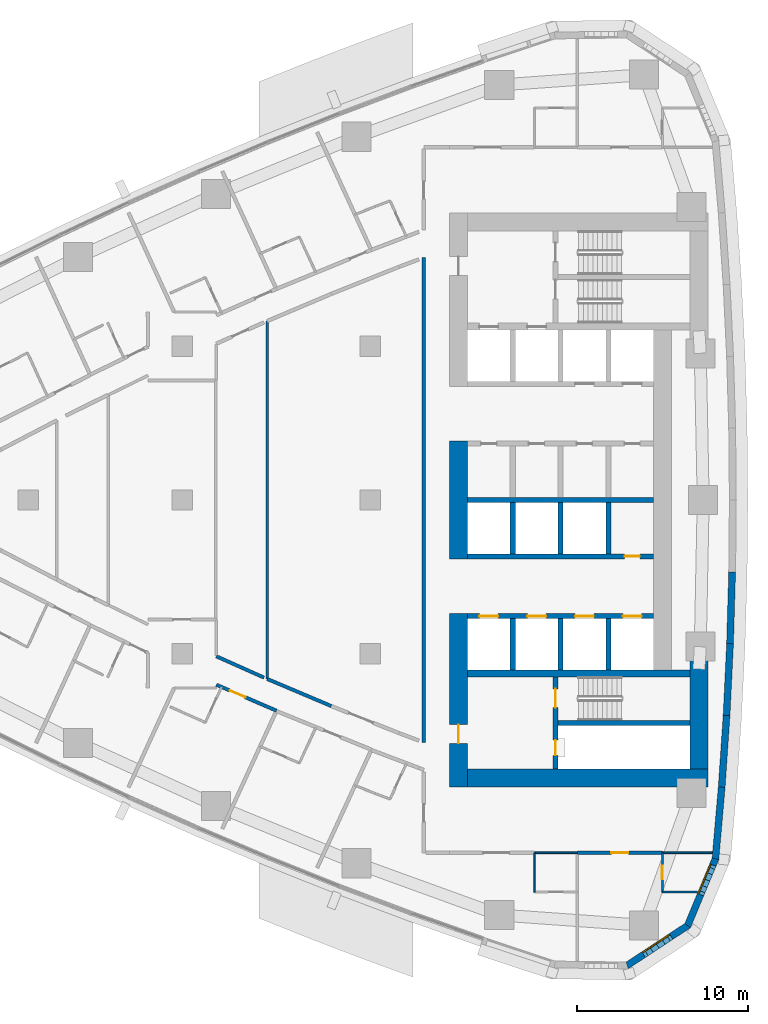
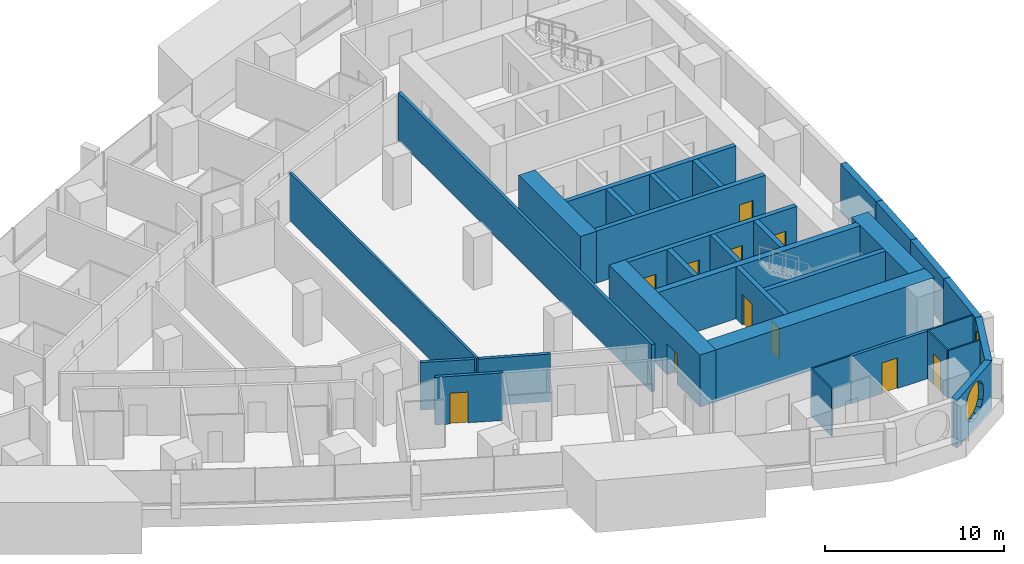
# One storey, part 10 of 17: 33 walls, 11 doors, 2 windows, 13 openings.
"""IFC4 building model written with IfcOpenShell, lengths in metres."""

from ifc_helpers import new_model, si_unit, direction, frame, frame_2d, origin, place, context, subcontext, project, spatial, polyline, rectangle, outline, extrude, material, layer, layer_set, type_object, element, fill, save


model = new_model("IFC4")

# Units and contexts
model_context = context("Model", 3, precision=1e-05, world=origin(), true_north=direction((0.0, 1.0)))
body_context = subcontext(model_context, "Body", "Model", "MODEL_VIEW")
ifc_project = project(units=[si_unit("LENGTHUNIT", "METRE"), si_unit("AREAUNIT", "SQUARE_METRE"), si_unit("VOLUMEUNIT", "CUBIC_METRE"), si_unit("PLANEANGLEUNIT", "RADIAN"), si_unit("MASSUNIT", "GRAM", prefix="KILO")], contexts=[model_context])

# Site, building, storey
site_placement = place(None, origin())
site = spatial("IfcSite", under=ifc_project, at=site_placement, CompositionType="ELEMENT")
building_placement = place(site_placement, origin())
building = spatial("IfcBuilding", under=site, at=building_placement, Name="Ostrand Prow Hotel Tower", CompositionType="ELEMENT")
storey_placement = place(building_placement, frame((0.0, 0.0, 102.64990234375)))
storey = spatial("IfcBuildingStorey", under=building, at=storey_placement, Name="L24", CompositionType="ELEMENT", Elevation=102.64990234375)

# Wall
ifc_material_1 = material(Name="Concrete C80/95", Category="concrete")
ifc_layer_1 = layer(ifc_material_1, 1.050048828125)
ifc_layer_set_1 = layer_set([ifc_layer_1], Name="Concrete C80/95")
wall_type_1 = type_object("IfcWallType", Name="Core wall 1050 C80/95", PredefinedType="SHEAR", material=ifc_layer_set_1)
wall_1_placement = place(storey_placement, frame((50.175048828125, -3.449951171875, 0.0), z_axis=(0.0, 0.0, 1.0), x_axis=(0.0, 1.0, 0.0)))
element("IfcWall", 1, at=wall_1_placement, inside=storey, type_object=wall_type_1, Name="Core wall CW-W-C", PredefinedType="SHEAR", context=body_context, shape_type="SweptSolid", body=[
    extrude(rectangle(XDim=6.89990234375, YDim=1.050048828125, at=frame_2d((3.449951171875, 0.0))), origin(), (0.0, 0.0, 1.0), 3.550048828125),
])

# Wall, opening, door
wall_2_placement = place(storey_placement, frame((50.175048828125, -16.800048828125, 0.0), z_axis=(0.0, 0.0, 1.0), x_axis=(0.0, 1.0, 0.0)))
wall_2 = element("IfcWall", 2, at=wall_2_placement, inside=storey, type_object=wall_type_1, Name="Core wall CW-W-S", PredefinedType="SHEAR", context=body_context, shape_type="SweptSolid", body=[
    extrude(rectangle(XDim=10.150146484375, YDim=1.050048828125, at=frame_2d((5.0751953125, 0.0))), origin(), (0.0, 0.0, 1.0), 3.550048828125),
])
opening_1_placement = place(wall_2_placement, frame((2.550048828125, 0.0, 0.0)))
opening_1 = element("IfcOpeningElement", 3, at=opening_1_placement, cuts=wall_2, Name="Opening FD1", PredefinedType="OPENING", context=body_context, shape_type="SweptSolid", body=[
    extrude(rectangle(XDim=1.10009765625, YDim=2.10009765625, at=frame_2d((0.550048828125, 1.050048828125))), frame((0.0, 0.534912109375, 0.0), z_axis=(0.0, -1.0, 0.0), x_axis=(1.0, 0.0, 0.0)), (0.0, 0.0, 1.0), 1.070068359375),
])
ifc_material_2 = material(Name="Steel fire door", Category="steel")
door_type_1 = type_object("IfcDoorType", Name="Fire door 1100 EI120", OperationType="SINGLE_SWING_RIGHT", PredefinedType="DOOR", material=ifc_material_2)
door_1_placement = place(opening_1_placement, origin())
door_1 = element("IfcDoor", 4, at=door_1_placement, inside=storey, type_object=door_type_1, Name="FIRE DOOR", OperationType="SINGLE_SWING_RIGHT", OverallHeight=2.10009765625, OverallWidth=1.10009765625, PredefinedType="DOOR", context=body_context, shape_type="SweptSolid", body=[
    extrude(rectangle(XDim=1.10009765625, YDim=2.10009765625, at=frame_2d((0.550048828125, 1.050048828125))), frame((0.0, 0.02490234375, 0.0), z_axis=(0.0, -1.0, 0.0), x_axis=(1.0, 0.0, 0.0)), (0.0, 0.0, 1.0), 0.050048828125),
])
fill(opening_1, door_1)

# Walls
wall_3_placement = place(storey_placement, frame((50.699951171875, -16.27490234375, 0.0), z_axis=(0.0, 0.0, 1.0), x_axis=(1.0, 0.0, 0.0)))
element("IfcWall", 5, at=wall_3_placement, inside=storey, type_object=wall_type_1, Name="Core wall CW-S", PredefinedType="SHEAR", context=body_context, shape_type="SweptSolid", body=[
    extrude(rectangle(XDim=14.070068359375, YDim=1.050048828125, at=frame_2d((7.03515625, 0.0))), origin(), (0.0, 0.0, 1.0), 3.550048828125),
])
wall_4_placement = place(storey_placement, frame((64.2451171875, -15.75, 0.0), z_axis=(0.0, 0.0, 1.0), x_axis=(0.0, 1.0, 0.0)))
element("IfcWall", 6, at=wall_4_placement, inside=storey, type_object=wall_type_1, Name="Core wall CW-E-S", PredefinedType="SHEAR", context=body_context, shape_type="SweptSolid", body=[
    extrude(rectangle(XDim=6.361328125, YDim=1.050048828125, at=frame_2d((3.1806640625, 0.0))), origin(), (0.0, 0.0, 1.0), 3.550048828125),
])
ifc_material_3 = material(Name="Concrete C80/95", Category="concrete")
ifc_layer_2 = layer(ifc_material_3, 0.300048828125)
ifc_layer_set_2 = layer_set([ifc_layer_2], Name="Concrete C80/95")
wall_type_2 = type_object("IfcWallType", Name="Core wall 300 C80/95", PredefinedType="SHEAR", material=ifc_layer_set_2)
wall_5_placement = place(storey_placement, frame((50.699951171875, 0.0, 0.0), z_axis=(0.0, 0.0, 1.0), x_axis=(1.0, 0.0, 0.0)))
element("IfcWall", 7, at=wall_5_placement, inside=storey, type_object=wall_type_2, Name="Core wall PW-C", PredefinedType="SHEAR", context=body_context, shape_type="SweptSolid", body=[
    extrude(rectangle(XDim=10.900146484375, YDim=0.300048828125, at=frame_2d((5.4501953125, 0.0))), origin(), (0.0, 0.0, 1.0), 3.550048828125),
])

# Wall, opening, door
wall_6_placement = place(storey_placement, frame((50.699951171875, -3.300048828125, 0.0), z_axis=(0.0, 0.0, 1.0), x_axis=(1.0, 0.0, 0.0)))
wall_6 = element("IfcWall", 8, at=wall_6_placement, inside=storey, type_object=wall_type_2, Name="Core wall PW-L1-S", PredefinedType="SHEAR", context=body_context, shape_type="SweptSolid", body=[
    extrude(rectangle(XDim=10.900146484375, YDim=0.300048828125, at=frame_2d((5.4501953125, 0.0))), origin(), (0.0, 0.0, 1.0), 3.550048828125),
])
opening_2_placement = place(wall_6_placement, frame((9.199951171875, 0.0, 0.0)))
opening_2 = element("IfcOpeningElement", 9, at=opening_2_placement, cuts=wall_6, Name="Opening FD2", PredefinedType="OPENING", context=body_context, shape_type="SweptSolid", body=[
    extrude(rectangle(XDim=0.89990234375, YDim=2.10009765625, at=frame_2d((0.449951171875, 1.050048828125))), frame((0.0, 0.159912109375, 0.0), z_axis=(0.0, -1.0, 0.0), x_axis=(1.0, 0.0, 0.0)), (0.0, 0.0, 1.0), 0.320068359375),
])
ifc_material_4 = material(Name="Steel fire door", Category="steel")
door_type_2 = type_object("IfcDoorType", Name="Fire door 900 EI120", OperationType="SINGLE_SWING_LEFT", PredefinedType="DOOR", material=ifc_material_4)
door_2_placement = place(opening_2_placement, origin())
door_2 = element("IfcDoor", 10, at=door_2_placement, inside=storey, type_object=door_type_2, Name="DOOR", OperationType="SINGLE_SWING_LEFT", OverallHeight=2.10009765625, OverallWidth=0.89990234375, PredefinedType="DOOR", context=body_context, shape_type="SweptSolid", body=[
    extrude(rectangle(XDim=0.89990234375, YDim=2.10009765625, at=frame_2d((0.449951171875, 1.050048828125))), frame((0.0, 0.02490234375, 0.0), z_axis=(0.0, -1.0, 0.0), x_axis=(1.0, 0.0, 0.0)), (0.0, 0.0, 1.0), 0.050048828125),
])
fill(opening_2, door_2)

# Wall, openings, doors
wall_7_placement = place(storey_placement, frame((50.699951171875, -6.800048828125, 0.0), z_axis=(0.0, 0.0, 1.0), x_axis=(1.0, 0.0, 0.0)))
wall_7 = element("IfcWall", 11, at=wall_7_placement, inside=storey, type_object=wall_type_2, Name="Core wall PW-L2-S", PredefinedType="SHEAR", context=body_context, shape_type="SweptSolid", body=[
    extrude(rectangle(XDim=10.900146484375, YDim=0.300048828125, at=frame_2d((5.4501953125, 0.0))), origin(), (0.0, 0.0, 1.0), 3.550048828125),
])
opening_3_placement = place(wall_7_placement, frame((0.699951171875, 0.0, 0.0)))
opening_3 = element("IfcOpeningElement", 12, at=opening_3_placement, cuts=wall_7, Name="Opening LD", PredefinedType="OPENING", context=body_context, shape_type="SweptSolid", body=[
    extrude(rectangle(XDim=1.10009765625, YDim=2.10009765625, at=frame_2d((0.550048828125, 1.050048828125))), frame((0.0, 0.159912109375, 0.0), z_axis=(0.0, -1.0, 0.0), x_axis=(1.0, 0.0, 0.0)), (0.0, 0.0, 1.0), 0.320068359375),
])
opening_4_placement = place(wall_7_placement, frame((3.5, 0.0, 0.0)))
opening_4 = element("IfcOpeningElement", 13, at=opening_4_placement, cuts=wall_7, Name="Opening LD", PredefinedType="OPENING", context=body_context, shape_type="SweptSolid", body=[
    extrude(rectangle(XDim=1.10009765625, YDim=2.10009765625, at=frame_2d((0.550048828125, 1.050048828125))), frame((0.0, 0.159912109375, 0.0), z_axis=(0.0, -1.0, 0.0), x_axis=(1.0, 0.0, 0.0)), (0.0, 0.0, 1.0), 0.320068359375),
])
opening_5_placement = place(wall_7_placement, frame((6.300048828125, 0.0, 0.0)))
opening_5 = element("IfcOpeningElement", 14, at=opening_5_placement, cuts=wall_7, Name="Opening LD", PredefinedType="OPENING", context=body_context, shape_type="SweptSolid", body=[
    extrude(rectangle(XDim=1.10009765625, YDim=2.10009765625, at=frame_2d((0.550048828125, 1.050048828125))), frame((0.0, 0.159912109375, 0.0), z_axis=(0.0, -1.0, 0.0), x_axis=(1.0, 0.0, 0.0)), (0.0, 0.0, 1.0), 0.320068359375),
])
opening_6_placement = place(wall_7_placement, frame((9.10009765625, 0.0, 0.0)))
opening_6 = element("IfcOpeningElement", 15, at=opening_6_placement, cuts=wall_7, Name="Opening LD", PredefinedType="OPENING", context=body_context, shape_type="SweptSolid", body=[
    extrude(rectangle(XDim=1.10009765625, YDim=2.10009765625, at=frame_2d((0.550048828125, 1.050048828125))), frame((0.0, 0.159912109375, 0.0), z_axis=(0.0, -1.0, 0.0), x_axis=(1.0, 0.0, 0.0)), (0.0, 0.0, 1.0), 0.320068359375),
])
ifc_material_5 = material(Name="Stainless steel door", Category="steel")
door_type_3 = type_object("IfcDoorType", Name="Lift landing door 1100", OperationType="DOUBLE_DOOR_SLIDING", PredefinedType="DOOR", material=ifc_material_5)
door_3_placement = place(opening_3_placement, origin())
door_3 = element("IfcDoor", 16, at=door_3_placement, inside=storey, type_object=door_type_3, Name="LIFT LANDING DOOR", OperationType="DOUBLE_DOOR_SLIDING", OverallHeight=2.10009765625, OverallWidth=1.10009765625, PredefinedType="DOOR", context=body_context, shape_type="SweptSolid", body=[
    extrude(rectangle(XDim=1.10009765625, YDim=2.10009765625, at=frame_2d((0.550048828125, 1.050048828125))), frame((0.0, 0.02490234375, 0.0), z_axis=(0.0, -1.0, 0.0), x_axis=(1.0, 0.0, 0.0)), (0.0, 0.0, 1.0), 0.050048828125),
])
fill(opening_3, door_3)
door_4_placement = place(opening_4_placement, origin())
door_4 = element("IfcDoor", 17, at=door_4_placement, inside=storey, type_object=door_type_3, Name="LIFT LANDING DOOR", OperationType="DOUBLE_DOOR_SLIDING", OverallHeight=2.10009765625, OverallWidth=1.10009765625, PredefinedType="DOOR", context=body_context, shape_type="SweptSolid", body=[
    extrude(rectangle(XDim=1.10009765625, YDim=2.10009765625, at=frame_2d((0.550048828125, 1.050048828125))), frame((0.0, 0.02490234375, 0.0), z_axis=(0.0, -1.0, 0.0), x_axis=(1.0, 0.0, 0.0)), (0.0, 0.0, 1.0), 0.050048828125),
])
fill(opening_4, door_4)
door_5_placement = place(opening_5_placement, origin())
door_5 = element("IfcDoor", 18, at=door_5_placement, inside=storey, type_object=door_type_3, Name="LIFT LANDING DOOR", OperationType="DOUBLE_DOOR_SLIDING", OverallHeight=2.10009765625, OverallWidth=1.10009765625, PredefinedType="DOOR", context=body_context, shape_type="SweptSolid", body=[
    extrude(rectangle(XDim=1.10009765625, YDim=2.10009765625, at=frame_2d((0.550048828125, 1.050048828125))), frame((0.0, 0.02490234375, 0.0), z_axis=(0.0, -1.0, 0.0), x_axis=(1.0, 0.0, 0.0)), (0.0, 0.0, 1.0), 0.050048828125),
])
fill(opening_5, door_5)
door_6_placement = place(opening_6_placement, origin())
door_6 = element("IfcDoor", 19, at=door_6_placement, inside=storey, type_object=door_type_3, Name="LIFT LANDING DOOR", OperationType="DOUBLE_DOOR_SLIDING", OverallHeight=2.10009765625, OverallWidth=1.10009765625, PredefinedType="DOOR", context=body_context, shape_type="SweptSolid", body=[
    extrude(rectangle(XDim=1.10009765625, YDim=2.10009765625, at=frame_2d((0.550048828125, 1.050048828125))), frame((0.0, 0.02490234375, 0.0), z_axis=(0.0, -1.0, 0.0), x_axis=(1.0, 0.0, 0.0)), (0.0, 0.0, 1.0), 0.050048828125),
])
fill(opening_6, door_6)

# Walls
for number, where, z_axis, x_axis, name in (
    (20, (53.35009765625, -3.14990234375, 0.0), (0.0, 0.0, 1.0), (0.0, 1.0, 0.0), "Core wall PW-R1-SB"),
    (21, (53.35009765625, -9.949951171875, 0.0), (0.0, 0.0, 1.0), (0.0, 1.0, 0.0), "Core wall PW-R1-SA"),
    (22, (56.14990234375, -3.14990234375, 0.0), (0.0, 0.0, 1.0), (0.0, 1.0, 0.0), "Core wall PW-R2-SB"),
    (23, (56.14990234375, -9.949951171875, 0.0), (0.0, 0.0, 1.0), (0.0, 1.0, 0.0), "Core wall PW-R2-SA"),
    (24, (58.949951171875, -3.14990234375, 0.0), (0.0, 0.0, 1.0), (0.0, 1.0, 0.0), "Core wall PW-R3-SB"),
    (25, (58.949951171875, -9.949951171875, 0.0), (0.0, 0.0, 1.0), (0.0, 1.0, 0.0), "Core wall PW-R3-SA"),
):
    element("IfcWall", number, at=place(storey_placement, frame(where, z_axis=z_axis, x_axis=x_axis)), inside=storey, type_object=wall_type_2, Name=name, PredefinedType="SHEAR", context=body_context, shape_type="SweptSolid", body=[
        extrude(rectangle(XDim=3.0, YDim=0.300048828125, at=frame_2d((1.5, 0.0))), origin(), (0.0, 0.0, 1.0), 3.550048828125),
    ])

# Wall, openings, doors
wall_8_placement = place(storey_placement, frame((55.85009765625, -15.75, 0.0), z_axis=(0.0, 0.0, 1.0), x_axis=(0.0, 1.0, 0.0)))
wall_8 = element("IfcWall", 26, at=wall_8_placement, inside=storey, type_object=wall_type_2, Name="Core wall PW-VS", PredefinedType="SHEAR", context=body_context, shape_type="SweptSolid", body=[
    extrude(rectangle(XDim=5.39990234375, YDim=0.300048828125, at=frame_2d((2.699951171875, 0.0))), origin(), (0.0, 0.0, 1.0), 3.550048828125),
])
opening_7_placement = place(wall_8_placement, frame((3.60009765625, 0.0, 0.0)))
opening_7 = element("IfcOpeningElement", 27, at=opening_7_placement, cuts=wall_8, Name="Opening FD1", PredefinedType="OPENING", context=body_context, shape_type="SweptSolid", body=[
    extrude(rectangle(XDim=1.10009765625, YDim=2.10009765625, at=frame_2d((0.550048828125, 1.050048828125))), frame((0.0, 0.159912109375, 0.0), z_axis=(0.0, -1.0, 0.0), x_axis=(1.0, 0.0, 0.0)), (0.0, 0.0, 1.0), 0.320068359375),
])
opening_8_placement = place(wall_8_placement, frame((0.800048828125, 0.0, 0.0)))
opening_8 = element("IfcOpeningElement", 28, at=opening_8_placement, cuts=wall_8, Name="Opening FD2", PredefinedType="OPENING", context=body_context, shape_type="SweptSolid", body=[
    extrude(rectangle(XDim=0.89990234375, YDim=2.10009765625, at=frame_2d((0.449951171875, 1.050048828125))), frame((0.0, 0.159912109375, 0.0), z_axis=(0.0, -1.0, 0.0), x_axis=(1.0, 0.0, 0.0)), (0.0, 0.0, 1.0), 0.320068359375),
])
door_7_placement = place(opening_7_placement, origin())
door_7 = element("IfcDoor", 29, at=door_7_placement, inside=storey, type_object=door_type_1, Name="FIRE DOOR", OperationType="SINGLE_SWING_RIGHT", OverallHeight=2.10009765625, OverallWidth=1.10009765625, PredefinedType="DOOR", context=body_context, shape_type="SweptSolid", body=[
    extrude(rectangle(XDim=1.10009765625, YDim=2.10009765625, at=frame_2d((0.550048828125, 1.050048828125))), frame((0.0, 0.02490234375, 0.0), z_axis=(0.0, -1.0, 0.0), x_axis=(1.0, 0.0, 0.0)), (0.0, 0.0, 1.0), 0.050048828125),
])
fill(opening_7, door_7)
door_8_placement = place(opening_8_placement, origin())
door_8 = element("IfcDoor", 30, at=door_8_placement, inside=storey, type_object=door_type_2, Name="FIRE DOOR", OperationType="SINGLE_SWING_LEFT", OverallHeight=2.10009765625, OverallWidth=0.89990234375, PredefinedType="DOOR", context=body_context, shape_type="SweptSolid", body=[
    extrude(rectangle(XDim=0.89990234375, YDim=2.10009765625, at=frame_2d((0.449951171875, 1.050048828125))), frame((0.0, 0.02490234375, 0.0), z_axis=(0.0, -1.0, 0.0), x_axis=(1.0, 0.0, 0.0)), (0.0, 0.0, 1.0), 0.050048828125),
])
fill(opening_8, door_8)

# Walls
wall_9_placement = place(storey_placement, frame((56.0, -13.050048828125, 0.0), z_axis=(0.0, 0.0, 1.0), x_axis=(1.0, 0.0, 0.0)))
element("IfcWall", 31, at=wall_9_placement, inside=storey, type_object=wall_type_2, Name="Core wall PW-ST2R", PredefinedType="SHEAR", context=body_context, shape_type="SweptSolid", body=[
    extrude(rectangle(XDim=7.719970703125, YDim=0.300048828125, at=frame_2d((3.85986328125, 0.0))), origin(), (0.0, 0.0, 1.0), 3.550048828125),
])
ifc_material_6 = material(Name="Concrete C80/95", Category="concrete")
ifc_layer_3 = layer(ifc_material_6, 0.39990234375)
ifc_layer_set_3 = layer_set([ifc_layer_3], Name="Concrete C80/95")
wall_type_3 = type_object("IfcWallType", Name="Core wall 400 C80/95", PredefinedType="SHEAR", material=ifc_layer_set_3)
wall_10_placement = place(storey_placement, frame((50.699951171875, -10.14990234375, 0.0), z_axis=(0.0, 0.0, 1.0), x_axis=(1.0, 0.0, 0.0)))
element("IfcWall", 32, at=wall_10_placement, inside=storey, type_object=wall_type_3, Name="Core wall PW-BS", PredefinedType="SHEAR", context=body_context, shape_type="SweptSolid", body=[
    extrude(rectangle(XDim=13.02001953125, YDim=0.39990234375, at=frame_2d((6.510009765625, 0.0))), origin(), (0.0, 0.0, 1.0), 3.550048828125),
])
ifc_material_7 = material(Name="Plasterboard partition")
ifc_layer_4 = layer(ifc_material_7, 0.10009765625)
ifc_layer_set_4 = layer_set([ifc_layer_4], Name="Plasterboard partition")
wall_type_4 = type_object("IfcWallType", Name="Partition 100 bathroom wall", PredefinedType="PARTITIONING", material=ifc_layer_set_4)
wall_11_placement = place(storey_placement, frame((54.630615234375, -22.949951171875, 0.0), z_axis=(0.0, 0.0, 1.0), x_axis=(0.0, 1.0, 0.0)))
element("IfcWall", 33, at=wall_11_placement, inside=storey, type_object=wall_type_4, Name="BATHROOM WALL", PredefinedType="PARTITIONING", context=body_context, shape_type="SweptSolid", body=[
    extrude(rectangle(XDim=2.300048828125, YDim=0.10009765625, at=frame_2d((1.14990234375, 0.0))), origin(), (0.0, 0.0, 1.0), 3.25),
])
wall_12_placement = place(storey_placement, frame((64.160400390625, -22.949951171875, 0.0), z_axis=(0.0, 0.0, 1.0), x_axis=(-1.0, 0.0, 0.0)))
element("IfcWall", 34, at=wall_12_placement, inside=storey, type_object=wall_type_4, Name="BATHROOM WALL", PredefinedType="PARTITIONING", context=body_context, shape_type="SweptSolid", body=[
    extrude(rectangle(XDim=2.04931640625, YDim=0.10009765625, at=frame_2d((1.024658203125, 0.0))), origin(), (0.0, 0.0, 1.0), 3.25),
])

# Wall, opening, door
wall_13_placement = place(storey_placement, frame((62.111083984375, -22.949951171875, 0.0), z_axis=(0.0, 0.0, 1.0), x_axis=(0.0, 1.0, 0.0)))
wall_13 = element("IfcWall", 35, at=wall_13_placement, inside=storey, type_object=wall_type_4, Name="BATHROOM WALL", PredefinedType="PARTITIONING", context=body_context, shape_type="SweptSolid", body=[
    extrude(rectangle(XDim=2.300048828125, YDim=0.10009765625, at=frame_2d((1.14990234375, 0.0))), origin(), (0.0, 0.0, 1.0), 3.25),
])
opening_9_placement = place(wall_13_placement, frame((0.75, 0.0, 0.0)))
opening_9 = element("IfcOpeningElement", 36, at=opening_9_placement, cuts=wall_13, Name="Opening D2", PredefinedType="OPENING", context=body_context, shape_type="SweptSolid", body=[
    extrude(rectangle(XDim=0.800048828125, YDim=2.10009765625, at=frame_2d((0.39990234375, 1.050048828125))), frame((0.0, 0.06005859375, 0.0), z_axis=(0.0, -1.0, 0.0), x_axis=(1.0, 0.0, 0.0)), (0.0, 0.0, 1.0), 0.1201171875),
])
ifc_material_8 = material(Name="Timber door leaf", Category="wood")
door_type_4 = type_object("IfcDoorType", Name="Bathroom door 800", OperationType="SINGLE_SWING_LEFT", PredefinedType="DOOR", material=ifc_material_8)
door_9_placement = place(opening_9_placement, origin())
door_9 = element("IfcDoor", 37, at=door_9_placement, inside=storey, type_object=door_type_4, Name="DOOR", OperationType="SINGLE_SWING_LEFT", OverallHeight=2.10009765625, OverallWidth=0.800048828125, PredefinedType="DOOR", context=body_context, shape_type="SweptSolid", body=[
    extrude(rectangle(XDim=0.800048828125, YDim=2.10009765625, at=frame_2d((0.39990234375, 1.050048828125))), frame((0.0, 0.02490234375, 0.0), z_axis=(0.0, -1.0, 0.0), x_axis=(1.0, 0.0, 0.0)), (0.0, 0.0, 1.0), 0.050048828125),
])
fill(opening_9, door_9)

# Walls
wall_14_placement = place(storey_placement, frame((54.630615234375, -20.655029296875, 0.0), z_axis=(0.0, 0.0, 1.0), x_axis=(1.0, 0.0, 0.0)))
element("IfcWall", 38, at=wall_14_placement, inside=storey, type_object=wall_type_4, Name="BATHROOM WALL", PredefinedType="PARTITIONING", context=body_context, shape_type="SweptSolid", body=[
    extrude(rectangle(XDim=2.5, YDim=0.10009765625, at=frame_2d((1.25, 0.0))), origin(), (0.0, 0.0, 1.0), 3.25),
])
wall_15_placement = place(storey_placement, frame((62.111083984375, -20.655029296875, 0.0), z_axis=(0.0, 0.0, 1.0), x_axis=(1.0, 0.0, 0.0)))
element("IfcWall", 39, at=wall_15_placement, inside=storey, type_object=wall_type_4, Name="BATHROOM WALL", PredefinedType="PARTITIONING", context=body_context, shape_type="SweptSolid", body=[
    extrude(rectangle(XDim=2.90576171875, YDim=0.10009765625, at=frame_2d((1.452880859375, 0.0))), origin(), (0.0, 0.0, 1.0), 3.25),
])
ifc_material_9 = material(Name="Plasterboard partition")
ifc_layer_5 = layer(ifc_material_9, 0.14990234375)
ifc_layer_set_5 = layer_set([ifc_layer_5], Name="Plasterboard partition")
wall_type_5 = type_object("IfcWallType", Name="Partition 150 room partition", PredefinedType="PARTITIONING", material=ifc_layer_set_5)
wall_16_placement = place(storey_placement, frame((38.974609375, -10.474365234375, 0.0), z_axis=(0.0, 0.0, 1.0), x_axis=(0.0, 1.0, 0.0)))
element("IfcWall", 40, at=wall_16_placement, inside=storey, type_object=wall_type_5, Name="ROOM PARTITION", PredefinedType="PARTITIONING", context=body_context, shape_type="SweptSolid", body=[
    extrude(rectangle(XDim=20.94873046875, YDim=0.14990234375, at=frame_2d((10.474365234375, 0.0))), origin(), (0.0, 0.0, 1.0), 3.25),
])

# Wall, opening, door
ifc_material_10 = material(Name="Plasterboard partition")
ifc_layer_6 = layer(ifc_material_10, 0.199951171875)
ifc_layer_set_6 = layer_set([ifc_layer_6], Name="Plasterboard partition")
wall_type_6 = type_object("IfcWallType", Name="Partition 200 corridor wall", PredefinedType="PARTITIONING", material=ifc_layer_set_6)
wall_17_placement = place(storey_placement, frame((36.0, -10.814697265625, 0.0), z_axis=(0.0, 0.0, 1.0), x_axis=(0.918174446699, -0.396176331233, 0.0)))
wall_17 = element("IfcWall", 41, at=wall_17_placement, inside=storey, type_object=wall_type_6, Name="CORRIDOR WALL", PredefinedType="PARTITIONING", context=body_context, shape_type="SweptSolid", body=[
    extrude(rectangle(XDim=3.836181640625, YDim=0.199951171875, at=frame_2d((1.91796875, 0.0))), origin(), (0.0, 0.0, 1.0), 3.25),
])
opening_10_placement = place(wall_17_placement, frame((0.85009765625, 0.0, 0.0)))
opening_10 = element("IfcOpeningElement", 42, at=opening_10_placement, cuts=wall_17, Name="Opening D1", PredefinedType="OPENING", context=body_context, shape_type="SweptSolid", body=[
    extrude(rectangle(XDim=1.0, YDim=2.10009765625, at=frame_2d((0.5, 1.050048828125))), frame((0.0, 0.10986328125, 0.0), z_axis=(0.0, -1.0, 0.0), x_axis=(1.0, 0.0, 0.0)), (0.0, 0.0, 1.0), 0.219970703125),
])
ifc_material_11 = material(Name="Timber door leaf", Category="wood")
door_type_5 = type_object("IfcDoorType", Name="Guest room door 1000", OperationType="SINGLE_SWING_LEFT", PredefinedType="DOOR", material=ifc_material_11)
door_10_placement = place(opening_10_placement, origin())
door_10 = element("IfcDoor", 43, at=door_10_placement, inside=storey, type_object=door_type_5, Name="DOOR", OperationType="SINGLE_SWING_LEFT", OverallHeight=2.10009765625, OverallWidth=1.0, PredefinedType="DOOR", context=body_context, shape_type="SweptSolid", body=[
    extrude(rectangle(XDim=1.0, YDim=2.10009765625, at=frame_2d((0.5, 1.050048828125))), frame((0.0, 0.02490234375, 0.0), z_axis=(0.0, -1.0, 0.0), x_axis=(1.0, 0.0, 0.0)), (0.0, 0.0, 1.0), 0.050048828125),
])
fill(opening_10, door_10)

# Walls
wall_18_placement = place(storey_placement, frame((38.7919921875, -10.397216796875, 0.0), z_axis=(0.0, 0.0, 1.0), x_axis=(-0.913029587861, 0.407893333716, 0.0)))
element("IfcWall", 44, at=wall_18_placement, inside=storey, type_object=wall_type_6, Name="CORRIDOR WALL", PredefinedType="PARTITIONING", context=body_context, shape_type="SweptSolid", body=[
    extrude(rectangle(XDim=3.057861328125, YDim=0.199951171875, at=frame_2d((1.52880859375, 0.0))), origin(), (0.0, 0.0, 1.0), 3.25),
])
wall_19_placement = place(storey_placement, frame((42.727783203125, -12.0615234375, 0.0), z_axis=(0.0, 0.0, 1.0), x_axis=(-0.921030909625, 0.389489490891, 0.0)))
element("IfcWall", 45, at=wall_19_placement, inside=storey, type_object=wall_type_6, Name="CORRIDOR WALL", PredefinedType="PARTITIONING", context=body_context, shape_type="SweptSolid", body=[
    extrude(rectangle(XDim=4.074951171875, YDim=0.199951171875, at=frame_2d((2.03759765625, 0.0))), origin(), (0.0, 0.0, 1.0), 3.25),
])

# Wall, opening, door
wall_20_placement = place(storey_placement, frame((57.135498046875, -20.655029296875, 0.0), z_axis=(0.0, 0.0, 1.0), x_axis=(1.0, 0.0, 0.0)))
wall_20 = element("IfcWall", 46, at=wall_20_placement, inside=storey, type_object=wall_type_6, Name="CORRIDOR WALL", PredefinedType="PARTITIONING", context=body_context, shape_type="SweptSolid", body=[
    extrude(rectangle(XDim=4.970703125, YDim=0.199951171875, at=frame_2d((2.4853515625, 0.0))), origin(), (0.0, 0.0, 1.0), 3.25),
])
opening_11_placement = place(wall_20_placement, frame((1.9853515625, 0.0, 0.0)))
opening_11 = element("IfcOpeningElement", 47, at=opening_11_placement, cuts=wall_20, Name="Opening D1R", PredefinedType="OPENING", context=body_context, shape_type="SweptSolid", body=[
    extrude(rectangle(XDim=1.0, YDim=2.10009765625, at=frame_2d((0.5, 1.050048828125))), frame((0.0, 0.10986328125, 0.0), z_axis=(0.0, -1.0, 0.0), x_axis=(1.0, 0.0, 0.0)), (0.0, 0.0, 1.0), 0.219970703125),
])
ifc_material_12 = material(Name="Timber door leaf", Category="wood")
door_type_6 = type_object("IfcDoorType", Name="Guest room door 1000 right", OperationType="SINGLE_SWING_RIGHT", PredefinedType="DOOR", material=ifc_material_12)
door_11_placement = place(opening_11_placement, origin())
door_11 = element("IfcDoor", 48, at=door_11_placement, inside=storey, type_object=door_type_6, Name="DOOR", OperationType="SINGLE_SWING_RIGHT", OverallHeight=2.10009765625, OverallWidth=1.0, PredefinedType="DOOR", context=body_context, shape_type="SweptSolid", body=[
    extrude(rectangle(XDim=1.0, YDim=2.10009765625, at=frame_2d((0.5, 1.050048828125))), frame((0.0, 0.02490234375, 0.0), z_axis=(0.0, -1.0, 0.0), x_axis=(1.0, 0.0, 0.0)), (0.0, 0.0, 1.0), 0.050048828125),
])
fill(opening_11, door_11)

# Wall
wall_21_placement = place(storey_placement, frame((48.14990234375, 14.188720703125, 0.0), z_axis=(0.0, 0.0, 1.0), x_axis=(0.0, -1.0, 0.0)))
element("IfcWall", 49, at=wall_21_placement, inside=storey, type_object=wall_type_6, Name="CORRIDOR WALL", PredefinedType="PARTITIONING", context=body_context, shape_type="SweptSolid", body=[
    extrude(rectangle(XDim=28.37744140625, YDim=0.199951171875, at=frame_2d((14.188720703125, 0.0))), origin(), (0.0, 0.0, 1.0), 3.25),
])

# Wall, opening, window
ifc_material_13 = material(Name="Precast concrete C40/50", Category="concrete")
ifc_layer_7 = layer(ifc_material_13, 0.39990234375)
ifc_layer_set_7 = layer_set([ifc_layer_7], Name="Precast concrete C40/50")
wall_type_7 = type_object("IfcWallType", Name="Stone-faced precast wall 400 mm", PredefinedType="NOTDEFINED", material=ifc_layer_set_7)
wall_22_placement = place(storey_placement, frame((60.048583984375, -27.245849609375, 0.0), z_axis=(0.0, 0.0, 1.0), x_axis=(0.835340523653, 0.549732852887, 0.0)))
wall_22 = element("IfcWall", 50, at=wall_22_placement, inside=storey, type_object=wall_type_7, Name="Stone-faced wall back 3", PredefinedType="NOTDEFINED", context=body_context, shape_type="SweptSolid", body=[
    extrude(outline(polyline([(-0.061279296875, -0.199951171875), (4.30029296875, -0.199951171875), (4.177734375, 0.199951171875), (0.061279296875, 0.199951171875), (-0.061279296875, -0.199951171875)])), origin(), (0.0, 0.0, 1.0), 3.25),
])
opening_12_placement = place(wall_22_placement, frame((1.01953125, 0.0, 0.60009765625)))
opening_12 = element("IfcOpeningElement", 51, at=opening_12_placement, cuts=wall_22, Name="Opening WP1", PredefinedType="OPENING", context=body_context, shape_type="SweptSolid", body=[
    extrude(outline(polyline([(0.0, 1.35009765625), (0.083740234375, 1.77099609375), (0.322265625, 2.127685546875), (0.678955078125, 2.3662109375), (1.10009765625, 2.449951171875), (1.52099609375, 2.3662109375), (1.877685546875, 2.127685546875), (2.1162109375, 1.77099609375), (2.199951171875, 1.35009765625), (2.199951171875, 1.10009765625), (2.1162109375, 0.678955078125), (1.877685546875, 0.322265625), (1.52099609375, 0.083740234375), (1.10009765625, 0.0), (0.678955078125, 0.083740234375), (0.322265625, 0.322265625), (0.083740234375, 0.678955078125), (0.0, 1.099853515625), (0.0, 1.35009765625)])), frame((0.0, 0.2099609375, 0.0), z_axis=(0.0, -1.0, 0.0), x_axis=(1.0, 0.0, 0.0)), (0.0, 0.0, 1.0), 0.419921875),
])
ifc_material_14 = material(Name="Insulated glass in bronze frame", Category="glass")
window_type_1 = type_object("IfcWindowType", Name="Round-ended prow window 2200x2450", PartitioningType="SINGLE_PANEL", PredefinedType="WINDOW", material=ifc_material_14)
window_1_placement = place(opening_12_placement, origin())
window_1 = element("IfcWindow", 52, at=window_1_placement, inside=storey, type_object=window_type_1, Name="Window back 3.1", OverallHeight=2.449951171875, OverallWidth=2.199951171875, PartitioningType="SINGLE_PANEL", PredefinedType="WINDOW", context=body_context, shape_type="SweptSolid", body=[
    extrude(outline(polyline([(0.0, 1.35009765625), (0.083740234375, 1.77099609375), (0.322265625, 2.127685546875), (0.678955078125, 2.3662109375), (1.10009765625, 2.449951171875), (1.52099609375, 2.3662109375), (1.877685546875, 2.127685546875), (2.1162109375, 1.77099609375), (2.199951171875, 1.35009765625), (2.199951171875, 1.10009765625), (2.1162109375, 0.678955078125), (1.877685546875, 0.322265625), (1.52099609375, 0.083740234375), (1.10009765625, 0.0), (0.678955078125, 0.083740234375), (0.322265625, 0.322265625), (0.083740234375, 0.678955078125), (0.0, 1.099853515625), (0.0, 1.35009765625)])), frame((0.0, 0.169921875, 0.0), z_axis=(0.0, -1.0, 0.0), x_axis=(1.0, 0.0, 0.0)), (0.0, 0.0, 1.0), 0.06005859375),
])
fill(opening_12, window_1)

wall_23_placement = place(storey_placement, frame((63.589599609375, -24.91552734375, 0.0), z_axis=(0.0, 0.0, 1.0), x_axis=(0.383997751971, 0.923334027577, 0.0)))
wall_23 = element("IfcWall", 53, at=wall_23_placement, inside=storey, type_object=wall_type_7, Name="Stone-faced wall back 4", PredefinedType="NOTDEFINED", context=body_context, shape_type="SweptSolid", body=[
    extrude(outline(polyline([(-0.061279296875, -0.199951171875), (4.269775390625, -0.199951171875), (4.207763671875, 0.199951171875), (0.061279296875, 0.199951171875), (-0.061279296875, -0.199951171875)])), origin(), (0.0, 0.0, 1.0), 3.25),
])
opening_13_placement = place(wall_23_placement, frame((1.852294921875, 0.0, 0.60009765625)))
opening_13 = element("IfcOpeningElement", 54, at=opening_13_placement, cuts=wall_23, Name="Opening WP1-21", PredefinedType="OPENING", context=body_context, shape_type="SweptSolid", body=[
    extrude(outline(polyline([(0.0, 1.39990234375), (0.079833984375, 1.8017578125), (0.3076171875, 2.142333984375), (0.648193359375, 2.3701171875), (1.050048828125, 2.449951171875), (1.451904296875, 2.3701171875), (1.79248046875, 2.142333984375), (2.020263671875, 1.8017578125), (2.10009765625, 1.39990234375), (2.10009765625, 1.050048828125), (2.020263671875, 0.648193359375), (1.79248046875, 0.3076171875), (1.451904296875, 0.079833984375), (1.050048828125, 0.0), (0.648193359375, 0.079833984375), (0.3076171875, 0.3076171875), (0.079833984375, 0.648193359375), (0.0, 1.050048828125), (0.0, 1.39990234375)])), frame((0.0, 0.2099609375, 0.0), z_axis=(0.0, -1.0, 0.0), x_axis=(1.0, 0.0, 0.0)), (0.0, 0.0, 1.0), 0.419921875),
])
ifc_material_15 = material(Name="Insulated glass in bronze frame", Category="glass")
window_type_2 = type_object("IfcWindowType", Name="Round-ended prow window 2100x2450", PartitioningType="SINGLE_PANEL", PredefinedType="WINDOW", material=ifc_material_15)
window_2_placement = place(opening_13_placement, origin())
window_2 = element("IfcWindow", 55, at=window_2_placement, inside=storey, type_object=window_type_2, Name="Window back 4.1", OverallHeight=2.449951171875, OverallWidth=2.10009765625, PartitioningType="SINGLE_PANEL", PredefinedType="WINDOW", context=body_context, shape_type="SweptSolid", body=[
    extrude(outline(polyline([(0.0, 1.39990234375), (0.079833984375, 1.8017578125), (0.3076171875, 2.142333984375), (0.648193359375, 2.3701171875), (1.050048828125, 2.449951171875), (1.451904296875, 2.3701171875), (1.79248046875, 2.142333984375), (2.020263671875, 1.8017578125), (2.10009765625, 1.39990234375), (2.10009765625, 1.050048828125), (2.020263671875, 0.648193359375), (1.79248046875, 0.3076171875), (1.451904296875, 0.079833984375), (1.050048828125, 0.0), (0.648193359375, 0.079833984375), (0.3076171875, 0.3076171875), (0.079833984375, 0.648193359375), (0.0, 1.050048828125), (0.0, 1.39990234375)])), frame((0.0, 0.169921875, 0.0), z_axis=(0.0, -1.0, 0.0), x_axis=(1.0, 0.0, 0.0)), (0.0, 0.0, 1.0), 0.06005859375),
])
fill(opening_13, window_2)

# Walls
wall_24_placement = place(storey_placement, frame((65.21728515625, -21.001708984375, 0.0), z_axis=(0.0, 0.0, 1.0), x_axis=(0.086992730434, 0.996208946382, 0.0)))
element("IfcWall", 56, at=wall_24_placement, inside=storey, type_object=wall_type_7, Name="Stone-faced wall back 5", PredefinedType="NOTDEFINED", context=body_context, shape_type="SweptSolid", body=[
    extrude(outline(polyline([(-0.031005859375, -0.199951171875), (4.208740234375, -0.199951171875), (4.204833984375, 0.199951171875), (0.031005859375, 0.199951171875), (-0.031005859375, -0.199951171875)])), origin(), (0.0, 0.0, 1.0), 3.25),
])
wall_25_placement = place(storey_placement, frame((65.583251953125, -16.810791015625, 0.0), z_axis=(0.0, 0.0, 1.0), x_axis=(0.067724559895, 0.997704056315, 0.0)))
element("IfcWall", 57, at=wall_25_placement, inside=storey, type_object=wall_type_7, Name="Stone-faced wall back 6", PredefinedType="NOTDEFINED", context=body_context, shape_type="SweptSolid", body=[
    extrude(outline(polyline([(-0.001953125, -0.199951171875), (4.208984375, -0.199951171875), (4.205078125, 0.199951171875), (0.001953125, 0.199951171875), (-0.001953125, -0.199951171875)])), origin(), (0.0, 0.0, 1.0), 3.25),
])
for number, where, z_axis, x_axis, name in (
    (58, (65.8681640625, -12.613525390625, 0.0), (0.0, 0.0, 1.0), (0.048342691508, 0.998830808585, 0.0), "Stone-faced wall back 7"),
    (59, (66.071533203125, -8.41162109375, 0.0), (0.0, 0.0, 1.0), (0.02901703777, 0.999578917104, 0.0), "Stone-faced wall back 8"),
):
    element("IfcWall", number, at=place(storey_placement, frame(where, z_axis=z_axis, x_axis=x_axis)), inside=storey, type_object=wall_type_7, Name=name, PredefinedType="NOTDEFINED", context=body_context, shape_type="SweptSolid", body=[
        extrude(outline(polyline([(-0.001953125, -0.199951171875), (4.208740234375, -0.199951171875), (4.204833984375, 0.199951171875), (0.001953125, 0.199951171875), (-0.001953125, -0.199951171875)])), origin(), (0.0, 0.0, 1.0), 3.25),
    ])

save(model, "model.ifc")
